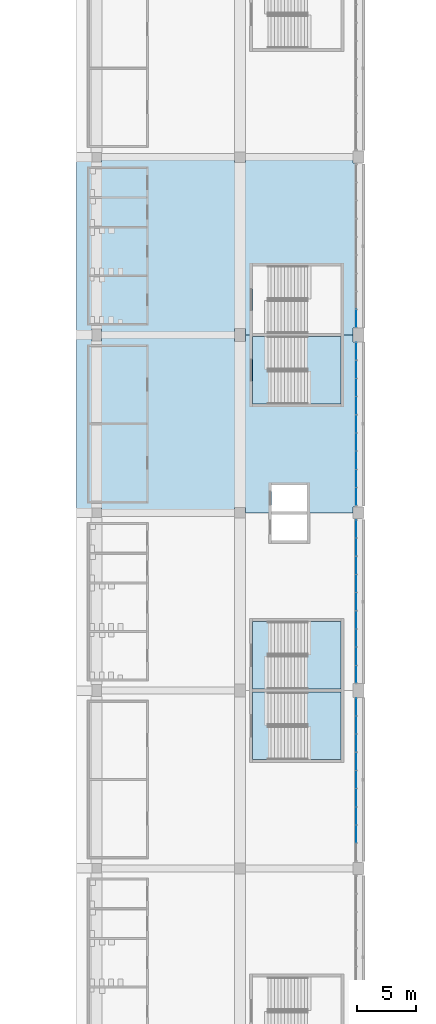
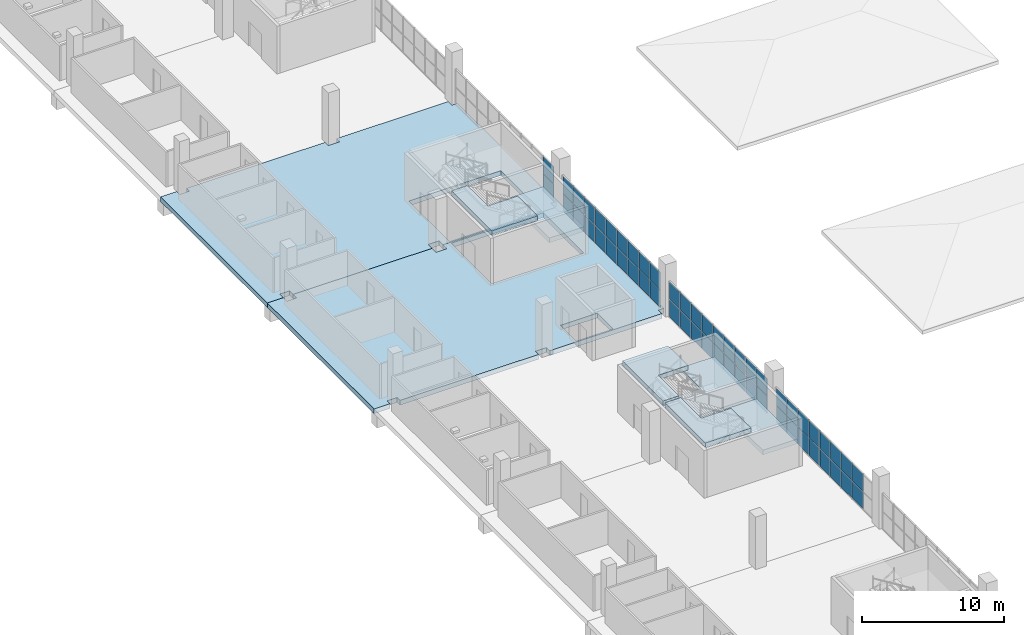
# One storey, part 65 of 199: 54 plates, 8 slabs, 7 elements without a shape of their own.
"""IFC4 building model written with IfcOpenShell, lengths in metres."""

from ifc_helpers import new_model, si_unit, direction, frame, origin, origin_2d, place, context, subcontext, project, spatial, polyline, rectangle, outline, extrude, material, layer, layer_set, type_object, element, aggregate, save


model = new_model("IFC4")

# Units and contexts
model_context = context("Model", 3, precision=1e-05, world=origin(), true_north=direction((0.0, 1.0)))
body_context = subcontext(model_context, "Body", "Model", "MODEL_VIEW")
ifc_project = project(units=[si_unit("LENGTHUNIT", "METRE"), si_unit("AREAUNIT", "SQUARE_METRE"), si_unit("VOLUMEUNIT", "CUBIC_METRE"), si_unit("PLANEANGLEUNIT", "RADIAN"), si_unit("MASSUNIT", "GRAM", prefix="KILO")], contexts=[model_context])

# Site, building, storey
site_placement = place(None, origin())
site = spatial("IfcSite", under=ifc_project, at=site_placement, CompositionType="ELEMENT")
building_placement = place(site_placement, origin())
building = spatial("IfcBuilding", under=site, at=building_placement, Name="Ogive Plaza Stadium", CompositionType="ELEMENT")
storey_placement = place(building_placement, frame((0.0, 0.0, 4.5)))
storey = spatial("IfcBuildingStorey", under=building, at=storey_placement, Name="L01", CompositionType="ELEMENT", Elevation=4.5)

# Curtain wall, plates
ifc_material_1 = material(Name="Bronze-anodised aluminium with laminated glass", Category="aluminium")
curtain_wall_type = type_object("IfcCurtainWallType", Name="Lancet curtain wall", PredefinedType="NOTDEFINED", material=ifc_material_1)
curtain_wall_1_placement = place(storey_placement, origin())
curtain_wall_1 = element("IfcCurtainWall", 1, at=curtain_wall_1_placement, inside=storey, type_object=curtain_wall_type, Name="CURTAIN WALL B03 L01", PredefinedType="NOTDEFINED")
ifc_material_2 = material(Name="Laminated glass", Category="glass")
ifc_layer_1 = layer(ifc_material_2, 0.028076171875)
ifc_layer_set_1 = layer_set([ifc_layer_1], Name="Laminated glass panel 28")
plate_type = type_object("IfcPlateType", Name="Laminated glass panel 28", PredefinedType="CURTAIN_PANEL", material=ifc_layer_set_1)
plate_1_placement = place(storey_placement, frame((83.800048828125, 8.879150390625, 0.0498046875), z_axis=(0.0, 0.0, 1.0), x_axis=(0.0, -1.0, 0.0)))
plate_1 = element("IfcPlate", 2, at=plate_1_placement, type_object=plate_type, Name="CW-B03-L01 panel 9.1", PredefinedType="CURTAIN_PANEL", context=body_context, shape_type="SweptSolid", body=[
    extrude(rectangle(XDim=1.458251953125, YDim=0.028076171875, at=origin_2d()), origin(), (0.0, 0.0, 1.0), 1.469970703125),
])
plate_2_placement = place(storey_placement, frame((83.800048828125, 8.879150390625, 1.56982421875), z_axis=(0.0, 0.0, 1.0), x_axis=(0.0, -1.0, 0.0)))
plate_2 = element("IfcPlate", 3, at=plate_2_placement, type_object=plate_type, Name="CW-B03-L01 panel 9.2", PredefinedType="CURTAIN_PANEL", context=body_context, shape_type="SweptSolid", body=[
    extrude(rectangle(XDim=1.458251953125, YDim=0.028076171875, at=origin_2d()), origin(), (0.0, 0.0, 1.0), 1.469970703125),
])
aggregate(curtain_wall_1, [plate_1, plate_2])

curtain_wall_2_placement = place(storey_placement, origin())
curtain_wall_2 = element("IfcCurtainWall", 4, at=curtain_wall_2_placement, inside=storey, type_object=curtain_wall_type, Name="CURTAIN WALL B04 L01", PredefinedType="NOTDEFINED")
plate_3_placement = place(storey_placement, frame((83.800048828125, 6.120849609375, 0.0498046875), z_axis=(0.0, 0.0, 1.0), x_axis=(0.0, -1.0, 0.0)))
plate_3 = element("IfcPlate", 5, at=plate_3_placement, type_object=plate_type, Name="CW-B04-L01 panel 1.1", PredefinedType="CURTAIN_PANEL", context=body_context, shape_type="SweptSolid", body=[
    extrude(rectangle(XDim=1.458251953125, YDim=0.028076171875, at=origin_2d()), origin(), (0.0, 0.0, 1.0), 1.469970703125),
])
plate_4_placement = place(storey_placement, frame((83.800048828125, 6.120849609375, 1.56982421875), z_axis=(0.0, 0.0, 1.0), x_axis=(0.0, -1.0, 0.0)))
plate_4 = element("IfcPlate", 6, at=plate_4_placement, type_object=plate_type, Name="CW-B04-L01 panel 1.2", PredefinedType="CURTAIN_PANEL", context=body_context, shape_type="SweptSolid", body=[
    extrude(rectangle(XDim=1.458251953125, YDim=0.028076171875, at=origin_2d()), origin(), (0.0, 0.0, 1.0), 1.469970703125),
])
plate_5_placement = place(storey_placement, frame((83.800048828125, 4.60009765625, 0.0498046875), z_axis=(0.0, 0.0, 1.0), x_axis=(0.0, -1.0, 0.0)))
plate_5 = element("IfcPlate", 7, at=plate_5_placement, type_object=plate_type, Name="CW-B04-L01 panel 2.1", PredefinedType="CURTAIN_PANEL", context=body_context, shape_type="SweptSolid", body=[
    extrude(rectangle(XDim=1.4833984375, YDim=0.028076171875, at=origin_2d()), origin(), (0.0, 0.0, 1.0), 1.469970703125),
])
plate_6_placement = place(storey_placement, frame((83.800048828125, 4.60009765625, 1.56982421875), z_axis=(0.0, 0.0, 1.0), x_axis=(0.0, -1.0, 0.0)))
plate_6 = element("IfcPlate", 8, at=plate_6_placement, type_object=plate_type, Name="CW-B04-L01 panel 2.2", PredefinedType="CURTAIN_PANEL", context=body_context, shape_type="SweptSolid", body=[
    extrude(rectangle(XDim=1.4833984375, YDim=0.028076171875, at=origin_2d()), origin(), (0.0, 0.0, 1.0), 1.469970703125),
])
plate_7_placement = place(storey_placement, frame((83.800048828125, 3.066650390625, 0.0498046875), z_axis=(0.0, 0.0, 1.0), x_axis=(0.0, -1.0, 0.0)))
plate_7 = element("IfcPlate", 9, at=plate_7_placement, type_object=plate_type, Name="CW-B04-L01 panel 3.1", PredefinedType="CURTAIN_PANEL", context=body_context, shape_type="SweptSolid", body=[
    extrude(rectangle(XDim=1.4833984375, YDim=0.028076171875, at=origin_2d()), origin(), (0.0, 0.0, 1.0), 1.469970703125),
])
plate_8_placement = place(storey_placement, frame((83.800048828125, 3.066650390625, 1.56982421875), z_axis=(0.0, 0.0, 1.0), x_axis=(0.0, -1.0, 0.0)))
plate_8 = element("IfcPlate", 10, at=plate_8_placement, type_object=plate_type, Name="CW-B04-L01 panel 3.2", PredefinedType="CURTAIN_PANEL", context=body_context, shape_type="SweptSolid", body=[
    extrude(rectangle(XDim=1.4833984375, YDim=0.028076171875, at=origin_2d()), origin(), (0.0, 0.0, 1.0), 1.469970703125),
])
plate_9_placement = place(storey_placement, frame((83.800048828125, 1.533447265625, 0.0498046875), z_axis=(0.0, 0.0, 1.0), x_axis=(0.0, -1.0, 0.0)))
plate_9 = element("IfcPlate", 11, at=plate_9_placement, type_object=plate_type, Name="CW-B04-L01 panel 4.1", PredefinedType="CURTAIN_PANEL", context=body_context, shape_type="SweptSolid", body=[
    extrude(rectangle(XDim=1.4833984375, YDim=0.028076171875, at=origin_2d()), origin(), (0.0, 0.0, 1.0), 1.469970703125),
])
plate_10_placement = place(storey_placement, frame((83.800048828125, 1.533447265625, 1.56982421875), z_axis=(0.0, 0.0, 1.0), x_axis=(0.0, -1.0, 0.0)))
plate_10 = element("IfcPlate", 12, at=plate_10_placement, type_object=plate_type, Name="CW-B04-L01 panel 4.2", PredefinedType="CURTAIN_PANEL", context=body_context, shape_type="SweptSolid", body=[
    extrude(rectangle(XDim=1.4833984375, YDim=0.028076171875, at=origin_2d()), origin(), (0.0, 0.0, 1.0), 1.469970703125),
])
plate_11_placement = place(storey_placement, frame((83.800048828125, 0.0, 0.0498046875), z_axis=(0.0, 0.0, 1.0), x_axis=(0.0, -1.0, 0.0)))
plate_11 = element("IfcPlate", 13, at=plate_11_placement, type_object=plate_type, Name="CW-B04-L01 panel 5.1", PredefinedType="CURTAIN_PANEL", context=body_context, shape_type="SweptSolid", body=[
    extrude(rectangle(XDim=1.4833984375, YDim=0.028076171875, at=origin_2d()), origin(), (0.0, 0.0, 1.0), 1.469970703125),
])
plate_12_placement = place(storey_placement, frame((83.800048828125, 0.0, 1.56982421875), z_axis=(0.0, 0.0, 1.0), x_axis=(0.0, -1.0, 0.0)))
plate_12 = element("IfcPlate", 14, at=plate_12_placement, type_object=plate_type, Name="CW-B04-L01 panel 5.2", PredefinedType="CURTAIN_PANEL", context=body_context, shape_type="SweptSolid", body=[
    extrude(rectangle(XDim=1.4833984375, YDim=0.028076171875, at=origin_2d()), origin(), (0.0, 0.0, 1.0), 1.469970703125),
])
plate_13_placement = place(storey_placement, frame((83.800048828125, -1.533447265625, 0.0498046875), z_axis=(0.0, 0.0, 1.0), x_axis=(0.0, -1.0, 0.0)))
plate_13 = element("IfcPlate", 15, at=plate_13_placement, type_object=plate_type, Name="CW-B04-L01 panel 6.1", PredefinedType="CURTAIN_PANEL", context=body_context, shape_type="SweptSolid", body=[
    extrude(rectangle(XDim=1.4833984375, YDim=0.028076171875, at=origin_2d()), origin(), (0.0, 0.0, 1.0), 1.469970703125),
])
plate_14_placement = place(storey_placement, frame((83.800048828125, -1.533447265625, 1.56982421875), z_axis=(0.0, 0.0, 1.0), x_axis=(0.0, -1.0, 0.0)))
plate_14 = element("IfcPlate", 16, at=plate_14_placement, type_object=plate_type, Name="CW-B04-L01 panel 6.2", PredefinedType="CURTAIN_PANEL", context=body_context, shape_type="SweptSolid", body=[
    extrude(rectangle(XDim=1.4833984375, YDim=0.028076171875, at=origin_2d()), origin(), (0.0, 0.0, 1.0), 1.469970703125),
])
plate_15_placement = place(storey_placement, frame((83.800048828125, -3.066650390625, 0.0498046875), z_axis=(0.0, 0.0, 1.0), x_axis=(0.0, -1.0, 0.0)))
plate_15 = element("IfcPlate", 17, at=plate_15_placement, type_object=plate_type, Name="CW-B04-L01 panel 7.1", PredefinedType="CURTAIN_PANEL", context=body_context, shape_type="SweptSolid", body=[
    extrude(rectangle(XDim=1.4833984375, YDim=0.028076171875, at=origin_2d()), origin(), (0.0, 0.0, 1.0), 1.469970703125),
])
plate_16_placement = place(storey_placement, frame((83.800048828125, -3.066650390625, 1.56982421875), z_axis=(0.0, 0.0, 1.0), x_axis=(0.0, -1.0, 0.0)))
plate_16 = element("IfcPlate", 18, at=plate_16_placement, type_object=plate_type, Name="CW-B04-L01 panel 7.2", PredefinedType="CURTAIN_PANEL", context=body_context, shape_type="SweptSolid", body=[
    extrude(rectangle(XDim=1.4833984375, YDim=0.028076171875, at=origin_2d()), origin(), (0.0, 0.0, 1.0), 1.469970703125),
])
plate_17_placement = place(storey_placement, frame((83.800048828125, -4.60009765625, 0.0498046875), z_axis=(0.0, 0.0, 1.0), x_axis=(0.0, -1.0, 0.0)))
plate_17 = element("IfcPlate", 19, at=plate_17_placement, type_object=plate_type, Name="CW-B04-L01 panel 8.1", PredefinedType="CURTAIN_PANEL", context=body_context, shape_type="SweptSolid", body=[
    extrude(rectangle(XDim=1.4833984375, YDim=0.028076171875, at=origin_2d()), origin(), (0.0, 0.0, 1.0), 1.469970703125),
])
plate_18_placement = place(storey_placement, frame((83.800048828125, -4.60009765625, 1.56982421875), z_axis=(0.0, 0.0, 1.0), x_axis=(0.0, -1.0, 0.0)))
plate_18 = element("IfcPlate", 20, at=plate_18_placement, type_object=plate_type, Name="CW-B04-L01 panel 8.2", PredefinedType="CURTAIN_PANEL", context=body_context, shape_type="SweptSolid", body=[
    extrude(rectangle(XDim=1.4833984375, YDim=0.028076171875, at=origin_2d()), origin(), (0.0, 0.0, 1.0), 1.469970703125),
])
plate_19_placement = place(storey_placement, frame((83.800048828125, -6.120849609375, 0.0498046875), z_axis=(0.0, 0.0, 1.0), x_axis=(0.0, -1.0, 0.0)))
plate_19 = element("IfcPlate", 21, at=plate_19_placement, type_object=plate_type, Name="CW-B04-L01 panel 9.1", PredefinedType="CURTAIN_PANEL", context=body_context, shape_type="SweptSolid", body=[
    extrude(rectangle(XDim=1.458251953125, YDim=0.028076171875, at=origin_2d()), origin(), (0.0, 0.0, 1.0), 1.469970703125),
])
plate_20_placement = place(storey_placement, frame((83.800048828125, -6.120849609375, 1.56982421875), z_axis=(0.0, 0.0, 1.0), x_axis=(0.0, -1.0, 0.0)))
plate_20 = element("IfcPlate", 22, at=plate_20_placement, type_object=plate_type, Name="CW-B04-L01 panel 9.2", PredefinedType="CURTAIN_PANEL", context=body_context, shape_type="SweptSolid", body=[
    extrude(rectangle(XDim=1.458251953125, YDim=0.028076171875, at=origin_2d()), origin(), (0.0, 0.0, 1.0), 1.469970703125),
])
aggregate(curtain_wall_2, [plate_3, plate_4, plate_5, plate_6, plate_7, plate_8, plate_9, plate_10, plate_11, plate_12, plate_13, plate_14, plate_15, plate_16, plate_17, plate_18, plate_19, plate_20])

curtain_wall_3_placement = place(storey_placement, origin())
curtain_wall_3 = element("IfcCurtainWall", 23, at=curtain_wall_3_placement, inside=storey, type_object=curtain_wall_type, Name="CURTAIN WALL B05 L01", PredefinedType="NOTDEFINED")
plate_21_placement = place(storey_placement, frame((83.800048828125, -8.879150390625, 0.0498046875), z_axis=(0.0, 0.0, 1.0), x_axis=(0.0, -1.0, 0.0)))
plate_21 = element("IfcPlate", 24, at=plate_21_placement, type_object=plate_type, Name="CW-B05-L01 panel 1.1", PredefinedType="CURTAIN_PANEL", context=body_context, shape_type="SweptSolid", body=[
    extrude(rectangle(XDim=1.458251953125, YDim=0.028076171875, at=origin_2d()), origin(), (0.0, 0.0, 1.0), 1.469970703125),
])
plate_22_placement = place(storey_placement, frame((83.800048828125, -8.879150390625, 1.56982421875), z_axis=(0.0, 0.0, 1.0), x_axis=(0.0, -1.0, 0.0)))
plate_22 = element("IfcPlate", 25, at=plate_22_placement, type_object=plate_type, Name="CW-B05-L01 panel 1.2", PredefinedType="CURTAIN_PANEL", context=body_context, shape_type="SweptSolid", body=[
    extrude(rectangle(XDim=1.458251953125, YDim=0.028076171875, at=origin_2d()), origin(), (0.0, 0.0, 1.0), 1.469970703125),
])
plate_23_placement = place(storey_placement, frame((83.800048828125, -10.39990234375, 0.0498046875), z_axis=(0.0, 0.0, 1.0), x_axis=(0.0, -1.0, 0.0)))
plate_23 = element("IfcPlate", 26, at=plate_23_placement, type_object=plate_type, Name="CW-B05-L01 panel 2.1", PredefinedType="CURTAIN_PANEL", context=body_context, shape_type="SweptSolid", body=[
    extrude(rectangle(XDim=1.4833984375, YDim=0.028076171875, at=origin_2d()), origin(), (0.0, 0.0, 1.0), 1.469970703125),
])
plate_24_placement = place(storey_placement, frame((83.800048828125, -10.39990234375, 1.56982421875), z_axis=(0.0, 0.0, 1.0), x_axis=(0.0, -1.0, 0.0)))
plate_24 = element("IfcPlate", 27, at=plate_24_placement, type_object=plate_type, Name="CW-B05-L01 panel 2.2", PredefinedType="CURTAIN_PANEL", context=body_context, shape_type="SweptSolid", body=[
    extrude(rectangle(XDim=1.4833984375, YDim=0.028076171875, at=origin_2d()), origin(), (0.0, 0.0, 1.0), 1.469970703125),
])
plate_25_placement = place(storey_placement, frame((83.800048828125, -11.933349609375, 0.0498046875), z_axis=(0.0, 0.0, 1.0), x_axis=(0.0, -1.0, 0.0)))
plate_25 = element("IfcPlate", 28, at=plate_25_placement, type_object=plate_type, Name="CW-B05-L01 panel 3.1", PredefinedType="CURTAIN_PANEL", context=body_context, shape_type="SweptSolid", body=[
    extrude(rectangle(XDim=1.4833984375, YDim=0.028076171875, at=origin_2d()), origin(), (0.0, 0.0, 1.0), 1.469970703125),
])
plate_26_placement = place(storey_placement, frame((83.800048828125, -11.933349609375, 1.56982421875), z_axis=(0.0, 0.0, 1.0), x_axis=(0.0, -1.0, 0.0)))
plate_26 = element("IfcPlate", 29, at=plate_26_placement, type_object=plate_type, Name="CW-B05-L01 panel 3.2", PredefinedType="CURTAIN_PANEL", context=body_context, shape_type="SweptSolid", body=[
    extrude(rectangle(XDim=1.4833984375, YDim=0.028076171875, at=origin_2d()), origin(), (0.0, 0.0, 1.0), 1.469970703125),
])
plate_27_placement = place(storey_placement, frame((83.800048828125, -13.466552734375, 0.0498046875), z_axis=(0.0, 0.0, 1.0), x_axis=(0.0, -1.0, 0.0)))
plate_27 = element("IfcPlate", 30, at=plate_27_placement, type_object=plate_type, Name="CW-B05-L01 panel 4.1", PredefinedType="CURTAIN_PANEL", context=body_context, shape_type="SweptSolid", body=[
    extrude(rectangle(XDim=1.4833984375, YDim=0.028076171875, at=origin_2d()), origin(), (0.0, 0.0, 1.0), 1.469970703125),
])
plate_28_placement = place(storey_placement, frame((83.800048828125, -13.466552734375, 1.56982421875), z_axis=(0.0, 0.0, 1.0), x_axis=(0.0, -1.0, 0.0)))
plate_28 = element("IfcPlate", 31, at=plate_28_placement, type_object=plate_type, Name="CW-B05-L01 panel 4.2", PredefinedType="CURTAIN_PANEL", context=body_context, shape_type="SweptSolid", body=[
    extrude(rectangle(XDim=1.4833984375, YDim=0.028076171875, at=origin_2d()), origin(), (0.0, 0.0, 1.0), 1.469970703125),
])
plate_29_placement = place(storey_placement, frame((83.800048828125, -15.0, 0.0498046875), z_axis=(0.0, 0.0, 1.0), x_axis=(0.0, -1.0, 0.0)))
plate_29 = element("IfcPlate", 32, at=plate_29_placement, type_object=plate_type, Name="CW-B05-L01 panel 5.1", PredefinedType="CURTAIN_PANEL", context=body_context, shape_type="SweptSolid", body=[
    extrude(rectangle(XDim=1.4833984375, YDim=0.028076171875, at=origin_2d()), origin(), (0.0, 0.0, 1.0), 1.469970703125),
])
plate_30_placement = place(storey_placement, frame((83.800048828125, -15.0, 1.56982421875), z_axis=(0.0, 0.0, 1.0), x_axis=(0.0, -1.0, 0.0)))
plate_30 = element("IfcPlate", 33, at=plate_30_placement, type_object=plate_type, Name="CW-B05-L01 panel 5.2", PredefinedType="CURTAIN_PANEL", context=body_context, shape_type="SweptSolid", body=[
    extrude(rectangle(XDim=1.4833984375, YDim=0.028076171875, at=origin_2d()), origin(), (0.0, 0.0, 1.0), 1.469970703125),
])
plate_31_placement = place(storey_placement, frame((83.800048828125, -16.533447265625, 0.0498046875), z_axis=(0.0, 0.0, 1.0), x_axis=(0.0, -1.0, 0.0)))
plate_31 = element("IfcPlate", 34, at=plate_31_placement, type_object=plate_type, Name="CW-B05-L01 panel 6.1", PredefinedType="CURTAIN_PANEL", context=body_context, shape_type="SweptSolid", body=[
    extrude(rectangle(XDim=1.4833984375, YDim=0.028076171875, at=origin_2d()), origin(), (0.0, 0.0, 1.0), 1.469970703125),
])
plate_32_placement = place(storey_placement, frame((83.800048828125, -16.533447265625, 1.56982421875), z_axis=(0.0, 0.0, 1.0), x_axis=(0.0, -1.0, 0.0)))
plate_32 = element("IfcPlate", 35, at=plate_32_placement, type_object=plate_type, Name="CW-B05-L01 panel 6.2", PredefinedType="CURTAIN_PANEL", context=body_context, shape_type="SweptSolid", body=[
    extrude(rectangle(XDim=1.4833984375, YDim=0.028076171875, at=origin_2d()), origin(), (0.0, 0.0, 1.0), 1.469970703125),
])
plate_33_placement = place(storey_placement, frame((83.800048828125, -18.066650390625, 0.0498046875), z_axis=(0.0, 0.0, 1.0), x_axis=(0.0, -1.0, 0.0)))
plate_33 = element("IfcPlate", 36, at=plate_33_placement, type_object=plate_type, Name="CW-B05-L01 panel 7.1", PredefinedType="CURTAIN_PANEL", context=body_context, shape_type="SweptSolid", body=[
    extrude(rectangle(XDim=1.4833984375, YDim=0.028076171875, at=origin_2d()), origin(), (0.0, 0.0, 1.0), 1.469970703125),
])
plate_34_placement = place(storey_placement, frame((83.800048828125, -18.066650390625, 1.56982421875), z_axis=(0.0, 0.0, 1.0), x_axis=(0.0, -1.0, 0.0)))
plate_34 = element("IfcPlate", 37, at=plate_34_placement, type_object=plate_type, Name="CW-B05-L01 panel 7.2", PredefinedType="CURTAIN_PANEL", context=body_context, shape_type="SweptSolid", body=[
    extrude(rectangle(XDim=1.4833984375, YDim=0.028076171875, at=origin_2d()), origin(), (0.0, 0.0, 1.0), 1.469970703125),
])
plate_35_placement = place(storey_placement, frame((83.800048828125, -19.60009765625, 0.0498046875), z_axis=(0.0, 0.0, 1.0), x_axis=(0.0, -1.0, 0.0)))
plate_35 = element("IfcPlate", 38, at=plate_35_placement, type_object=plate_type, Name="CW-B05-L01 panel 8.1", PredefinedType="CURTAIN_PANEL", context=body_context, shape_type="SweptSolid", body=[
    extrude(rectangle(XDim=1.4833984375, YDim=0.028076171875, at=origin_2d()), origin(), (0.0, 0.0, 1.0), 1.469970703125),
])
plate_36_placement = place(storey_placement, frame((83.800048828125, -19.60009765625, 1.56982421875), z_axis=(0.0, 0.0, 1.0), x_axis=(0.0, -1.0, 0.0)))
plate_36 = element("IfcPlate", 39, at=plate_36_placement, type_object=plate_type, Name="CW-B05-L01 panel 8.2", PredefinedType="CURTAIN_PANEL", context=body_context, shape_type="SweptSolid", body=[
    extrude(rectangle(XDim=1.4833984375, YDim=0.028076171875, at=origin_2d()), origin(), (0.0, 0.0, 1.0), 1.469970703125),
])
plate_37_placement = place(storey_placement, frame((83.800048828125, -21.120849609375, 0.0498046875), z_axis=(0.0, 0.0, 1.0), x_axis=(0.0, -1.0, 0.0)))
plate_37 = element("IfcPlate", 40, at=plate_37_placement, type_object=plate_type, Name="CW-B05-L01 panel 9.1", PredefinedType="CURTAIN_PANEL", context=body_context, shape_type="SweptSolid", body=[
    extrude(rectangle(XDim=1.458251953125, YDim=0.028076171875, at=origin_2d()), origin(), (0.0, 0.0, 1.0), 1.469970703125),
])
plate_38_placement = place(storey_placement, frame((83.800048828125, -21.120849609375, 1.56982421875), z_axis=(0.0, 0.0, 1.0), x_axis=(0.0, -1.0, 0.0)))
plate_38 = element("IfcPlate", 41, at=plate_38_placement, type_object=plate_type, Name="CW-B05-L01 panel 9.2", PredefinedType="CURTAIN_PANEL", context=body_context, shape_type="SweptSolid", body=[
    extrude(rectangle(XDim=1.458251953125, YDim=0.028076171875, at=origin_2d()), origin(), (0.0, 0.0, 1.0), 1.469970703125),
])
aggregate(curtain_wall_3, [plate_21, plate_22, plate_23, plate_24, plate_25, plate_26, plate_27, plate_28, plate_29, plate_30, plate_31, plate_32, plate_33, plate_34, plate_35, plate_36, plate_37, plate_38])

curtain_wall_4_placement = place(storey_placement, origin())
curtain_wall_4 = element("IfcCurtainWall", 42, at=curtain_wall_4_placement, inside=storey, type_object=curtain_wall_type, Name="CURTAIN WALL B06 L01", PredefinedType="NOTDEFINED")
plate_39_placement = place(storey_placement, frame((83.800048828125, -23.879150390625, 0.0498046875), z_axis=(0.0, 0.0, 1.0), x_axis=(0.0, -1.0, 0.0)))
plate_39 = element("IfcPlate", 43, at=plate_39_placement, type_object=plate_type, Name="CW-B06-L01 panel 1.1", PredefinedType="CURTAIN_PANEL", context=body_context, shape_type="SweptSolid", body=[
    extrude(rectangle(XDim=1.458251953125, YDim=0.028076171875, at=origin_2d()), origin(), (0.0, 0.0, 1.0), 1.469970703125),
])
plate_40_placement = place(storey_placement, frame((83.800048828125, -23.879150390625, 1.56982421875), z_axis=(0.0, 0.0, 1.0), x_axis=(0.0, -1.0, 0.0)))
plate_40 = element("IfcPlate", 44, at=plate_40_placement, type_object=plate_type, Name="CW-B06-L01 panel 1.2", PredefinedType="CURTAIN_PANEL", context=body_context, shape_type="SweptSolid", body=[
    extrude(rectangle(XDim=1.458251953125, YDim=0.028076171875, at=origin_2d()), origin(), (0.0, 0.0, 1.0), 1.469970703125),
])
plate_41_placement = place(storey_placement, frame((83.800048828125, -25.39990234375, 0.0498046875), z_axis=(0.0, 0.0, 1.0), x_axis=(0.0, -1.0, 0.0)))
plate_41 = element("IfcPlate", 45, at=plate_41_placement, type_object=plate_type, Name="CW-B06-L01 panel 2.1", PredefinedType="CURTAIN_PANEL", context=body_context, shape_type="SweptSolid", body=[
    extrude(rectangle(XDim=1.4833984375, YDim=0.028076171875, at=origin_2d()), origin(), (0.0, 0.0, 1.0), 1.469970703125),
])
plate_42_placement = place(storey_placement, frame((83.800048828125, -25.39990234375, 1.56982421875), z_axis=(0.0, 0.0, 1.0), x_axis=(0.0, -1.0, 0.0)))
plate_42 = element("IfcPlate", 46, at=plate_42_placement, type_object=plate_type, Name="CW-B06-L01 panel 2.2", PredefinedType="CURTAIN_PANEL", context=body_context, shape_type="SweptSolid", body=[
    extrude(rectangle(XDim=1.4833984375, YDim=0.028076171875, at=origin_2d()), origin(), (0.0, 0.0, 1.0), 1.469970703125),
])
plate_43_placement = place(storey_placement, frame((83.800048828125, -26.933349609375, 0.0498046875), z_axis=(0.0, 0.0, 1.0), x_axis=(0.0, -1.0, 0.0)))
plate_43 = element("IfcPlate", 47, at=plate_43_placement, type_object=plate_type, Name="CW-B06-L01 panel 3.1", PredefinedType="CURTAIN_PANEL", context=body_context, shape_type="SweptSolid", body=[
    extrude(rectangle(XDim=1.4833984375, YDim=0.028076171875, at=origin_2d()), origin(), (0.0, 0.0, 1.0), 1.469970703125),
])
plate_44_placement = place(storey_placement, frame((83.800048828125, -26.933349609375, 1.56982421875), z_axis=(0.0, 0.0, 1.0), x_axis=(0.0, -1.0, 0.0)))
plate_44 = element("IfcPlate", 48, at=plate_44_placement, type_object=plate_type, Name="CW-B06-L01 panel 3.2", PredefinedType="CURTAIN_PANEL", context=body_context, shape_type="SweptSolid", body=[
    extrude(rectangle(XDim=1.4833984375, YDim=0.028076171875, at=origin_2d()), origin(), (0.0, 0.0, 1.0), 1.469970703125),
])
plate_45_placement = place(storey_placement, frame((83.800048828125, -28.466552734375, 0.0498046875), z_axis=(0.0, 0.0, 1.0), x_axis=(0.0, -1.0, 0.0)))
plate_45 = element("IfcPlate", 49, at=plate_45_placement, type_object=plate_type, Name="CW-B06-L01 panel 4.1", PredefinedType="CURTAIN_PANEL", context=body_context, shape_type="SweptSolid", body=[
    extrude(rectangle(XDim=1.4833984375, YDim=0.028076171875, at=origin_2d()), origin(), (0.0, 0.0, 1.0), 1.469970703125),
])
plate_46_placement = place(storey_placement, frame((83.800048828125, -28.466552734375, 1.56982421875), z_axis=(0.0, 0.0, 1.0), x_axis=(0.0, -1.0, 0.0)))
plate_46 = element("IfcPlate", 50, at=plate_46_placement, type_object=plate_type, Name="CW-B06-L01 panel 4.2", PredefinedType="CURTAIN_PANEL", context=body_context, shape_type="SweptSolid", body=[
    extrude(rectangle(XDim=1.4833984375, YDim=0.028076171875, at=origin_2d()), origin(), (0.0, 0.0, 1.0), 1.469970703125),
])
plate_47_placement = place(storey_placement, frame((83.800048828125, -30.0, 0.0498046875), z_axis=(0.0, 0.0, 1.0), x_axis=(0.0, -1.0, 0.0)))
plate_47 = element("IfcPlate", 51, at=plate_47_placement, type_object=plate_type, Name="CW-B06-L01 panel 5.1", PredefinedType="CURTAIN_PANEL", context=body_context, shape_type="SweptSolid", body=[
    extrude(rectangle(XDim=1.4833984375, YDim=0.028076171875, at=origin_2d()), origin(), (0.0, 0.0, 1.0), 1.469970703125),
])
plate_48_placement = place(storey_placement, frame((83.800048828125, -30.0, 1.56982421875), z_axis=(0.0, 0.0, 1.0), x_axis=(0.0, -1.0, 0.0)))
plate_48 = element("IfcPlate", 52, at=plate_48_placement, type_object=plate_type, Name="CW-B06-L01 panel 5.2", PredefinedType="CURTAIN_PANEL", context=body_context, shape_type="SweptSolid", body=[
    extrude(rectangle(XDim=1.4833984375, YDim=0.028076171875, at=origin_2d()), origin(), (0.0, 0.0, 1.0), 1.469970703125),
])
plate_49_placement = place(storey_placement, frame((83.800048828125, -31.533447265625, 0.0498046875), z_axis=(0.0, 0.0, 1.0), x_axis=(0.0, -1.0, 0.0)))
plate_49 = element("IfcPlate", 53, at=plate_49_placement, type_object=plate_type, Name="CW-B06-L01 panel 6.1", PredefinedType="CURTAIN_PANEL", context=body_context, shape_type="SweptSolid", body=[
    extrude(rectangle(XDim=1.4833984375, YDim=0.028076171875, at=origin_2d()), origin(), (0.0, 0.0, 1.0), 1.469970703125),
])
plate_50_placement = place(storey_placement, frame((83.800048828125, -31.533447265625, 1.56982421875), z_axis=(0.0, 0.0, 1.0), x_axis=(0.0, -1.0, 0.0)))
plate_50 = element("IfcPlate", 54, at=plate_50_placement, type_object=plate_type, Name="CW-B06-L01 panel 6.2", PredefinedType="CURTAIN_PANEL", context=body_context, shape_type="SweptSolid", body=[
    extrude(rectangle(XDim=1.4833984375, YDim=0.028076171875, at=origin_2d()), origin(), (0.0, 0.0, 1.0), 1.469970703125),
])
plate_51_placement = place(storey_placement, frame((83.800048828125, -33.066650390625, 0.0498046875), z_axis=(0.0, 0.0, 1.0), x_axis=(0.0, -1.0, 0.0)))
plate_51 = element("IfcPlate", 55, at=plate_51_placement, type_object=plate_type, Name="CW-B06-L01 panel 7.1", PredefinedType="CURTAIN_PANEL", context=body_context, shape_type="SweptSolid", body=[
    extrude(rectangle(XDim=1.4833984375, YDim=0.028076171875, at=origin_2d()), origin(), (0.0, 0.0, 1.0), 1.469970703125),
])
plate_52_placement = place(storey_placement, frame((83.800048828125, -33.066650390625, 1.56982421875), z_axis=(0.0, 0.0, 1.0), x_axis=(0.0, -1.0, 0.0)))
plate_52 = element("IfcPlate", 56, at=plate_52_placement, type_object=plate_type, Name="CW-B06-L01 panel 7.2", PredefinedType="CURTAIN_PANEL", context=body_context, shape_type="SweptSolid", body=[
    extrude(rectangle(XDim=1.4833984375, YDim=0.028076171875, at=origin_2d()), origin(), (0.0, 0.0, 1.0), 1.469970703125),
])
plate_53_placement = place(storey_placement, frame((83.800048828125, -34.60009765625, 0.0498046875), z_axis=(0.0, 0.0, 1.0), x_axis=(0.0, -1.0, 0.0)))
plate_53 = element("IfcPlate", 57, at=plate_53_placement, type_object=plate_type, Name="CW-B06-L01 panel 8.1", PredefinedType="CURTAIN_PANEL", context=body_context, shape_type="SweptSolid", body=[
    extrude(rectangle(XDim=1.4833984375, YDim=0.028076171875, at=origin_2d()), origin(), (0.0, 0.0, 1.0), 1.469970703125),
])
plate_54_placement = place(storey_placement, frame((83.800048828125, -34.60009765625, 1.56982421875), z_axis=(0.0, 0.0, 1.0), x_axis=(0.0, -1.0, 0.0)))
plate_54 = element("IfcPlate", 58, at=plate_54_placement, type_object=plate_type, Name="CW-B06-L01 panel 8.2", PredefinedType="CURTAIN_PANEL", context=body_context, shape_type="SweptSolid", body=[
    extrude(rectangle(XDim=1.4833984375, YDim=0.028076171875, at=origin_2d()), origin(), (0.0, 0.0, 1.0), 1.469970703125),
])
aggregate(curtain_wall_4, [plate_39, plate_40, plate_41, plate_42, plate_43, plate_44, plate_45, plate_46, plate_47, plate_48, plate_49, plate_50, plate_51, plate_52, plate_53, plate_54])

# Slabs
ifc_material_3 = material(Name="Concrete C40/50", Category="concrete")
ifc_layer_2 = layer(ifc_material_3, 0.409912109375)
ifc_layer_set_2 = layer_set([ifc_layer_2], Name="Concrete C40/50")
slab_type_1 = type_object("IfcSlabType", Name="RC floor slab 410", PredefinedType="FLOOR", material=ifc_layer_set_2)
slab_1_placement = place(storey_placement, frame((0.0, 0.0, -0.409912109375)))
element("IfcSlab", 59, at=slab_1_placement, inside=storey, type_object=slab_type_1, Name="Floor slab L01 B03", PredefinedType="FLOOR", context=body_context, shape_type="SweptSolid", body=[
    extrude(outline(polyline([(61.5, 7.5), (61.5, 8.0), (62.300048828125, 8.0), (62.300048828125, 7.5), (73.550048828125, 7.5), (73.550048828125, 8.050048828125), (74.449951171875, 8.050048828125), (74.449951171875, 7.5), (83.550048828125, 7.5), (83.550048828125, 8.10009765625), (84.0, 8.10009765625), (84.0, 22.0), (83.550048828125, 22.0), (83.550048828125, 22.5), (74.449951171875, 22.5), (74.449951171875, 22.050048828125), (73.550048828125, 22.050048828125), (73.550048828125, 22.5), (62.300048828125, 22.5), (62.300048828125, 22.10009765625), (61.5, 22.10009765625), (61.5, 22.5), (60.199951171875, 22.5), (60.199951171875, 7.5), (61.5, 7.5)]), holes=[polyline([(75.050048828125, 13.324951171875), (75.050048828125, 7.625), (82.510009765625, 7.625), (82.510009765625, 13.324951171875), (75.050048828125, 13.324951171875)])]), origin(), (0.0, 0.0, 1.0), 0.409912109375),
])
slab_2_placement = place(storey_placement, frame((0.0, 0.0, -0.409912109375)))
element("IfcSlab", 60, at=slab_2_placement, inside=storey, type_object=slab_type_1, Name="Floor slab L01 B04", PredefinedType="FLOOR", context=body_context, shape_type="SweptSolid", body=[
    extrude(outline(polyline([(61.5, -7.5), (61.5, -7.10009765625), (62.300048828125, -7.10009765625), (62.300048828125, -7.5), (73.550048828125, -7.5), (73.550048828125, -7.050048828125), (74.449951171875, -7.050048828125), (74.449951171875, -7.5), (83.550048828125, -7.5), (83.550048828125, -7.0), (84.0, -7.0), (84.0, 6.89990234375), (83.550048828125, 6.89990234375), (83.550048828125, 7.5), (74.449951171875, 7.5), (74.449951171875, 6.949951171875), (73.550048828125, 6.949951171875), (73.550048828125, 7.5), (62.300048828125, 7.5), (62.300048828125, 7.0), (61.5, 7.0), (61.5, 7.5), (60.199951171875, 7.5), (60.199951171875, -7.5), (61.5, -7.5)]), holes=[polyline([(76.64990234375, -5.175048828125), (76.64990234375, -7.375), (79.64990234375, -7.375), (79.64990234375, -5.175048828125), (76.64990234375, -5.175048828125)]), polyline([(75.050048828125, 7.375), (75.050048828125, 1.675048828125), (82.510009765625, 1.675048828125), (82.510009765625, 7.375), (75.050048828125, 7.375)])]), origin(), (0.0, 0.0, 1.0), 0.409912109375),
])

# Stair, slabs
ifc_material_4 = material(Name="Concrete C40/50", Category="concrete")
stair_type = type_object("IfcStairType", Name="Exit stair", PredefinedType="STRAIGHT_RUN_STAIR", material=ifc_material_4)
stair_1_placement = place(storey_placement, origin())
stair_1 = element("IfcStair", 61, at=stair_1_placement, inside=storey, type_object=stair_type, Name="Exit stair ST04A L01 to L02", PredefinedType="STRAIGHT_RUN_STAIR")
ifc_material_5 = material(Name="Concrete C40/50", Category="concrete")
ifc_layer_3 = layer(ifc_material_5, 0.39990234375)
ifc_layer_set_3 = layer_set([ifc_layer_3], Name="Concrete C40/50")
slab_type_2 = type_object("IfcSlabType", Name="Stair landing", PredefinedType="LANDING", material=ifc_layer_set_3)
slab_3_placement = place(storey_placement, frame((0.0, 0.0, 1.85009765625)))
slab_3 = element("IfcSlab", 62, at=slab_3_placement, type_object=slab_type_2, Name="ST04A landing 1", PredefinedType="LANDING", context=body_context, shape_type="SweptSolid", body=[
    extrude(outline(polyline([(82.510009765625, 7.375), (82.510009765625, 1.675048828125), (79.7099609375, 1.675048828125), (79.7099609375, 4.574951171875), (77.31005859375, 4.574951171875), (77.31005859375, 7.375), (79.7099609375, 7.375), (82.510009765625, 7.375)])), origin(), (0.0, 0.0, 1.0), 0.39990234375),
])
slab_4_placement = place(storey_placement, frame((0.0, 0.0, 4.10009765625)))
slab_4 = element("IfcSlab", 63, at=slab_4_placement, type_object=slab_type_2, Name="ST04A landing 2", PredefinedType="LANDING", context=body_context, shape_type="SweptSolid", body=[
    extrude(outline(polyline([(78.75, 4.47509765625), (78.75, 1.675048828125), (76.35009765625, 1.675048828125), (75.050048828125, 1.675048828125), (75.050048828125, 7.375), (76.35009765625, 7.375), (76.35009765625, 4.47509765625), (78.75, 4.47509765625)])), origin(), (0.0, 0.0, 1.0), 0.39990234375),
])
aggregate(stair_1, [slab_3, slab_4])

stair_2_placement = place(storey_placement, origin())
stair_2 = element("IfcStair", 64, at=stair_2_placement, inside=storey, type_object=stair_type, Name="Exit stair ST06A L01 to L02", PredefinedType="STRAIGHT_RUN_STAIR")
slab_5_placement = place(storey_placement, frame((0.0, 0.0, 1.85009765625)))
slab_5 = element("IfcSlab", 65, at=slab_5_placement, type_object=slab_type_2, Name="ST06A landing 1", PredefinedType="LANDING", context=body_context, shape_type="SweptSolid", body=[
    extrude(outline(polyline([(82.510009765625, -22.625), (82.510009765625, -28.324951171875), (79.7099609375, -28.324951171875), (79.7099609375, -25.425048828125), (77.31005859375, -25.425048828125), (77.31005859375, -22.625), (79.7099609375, -22.625), (82.510009765625, -22.625)])), origin(), (0.0, 0.0, 1.0), 0.39990234375),
])
slab_6_placement = place(storey_placement, frame((0.0, 0.0, 4.10009765625)))
slab_6 = element("IfcSlab", 66, at=slab_6_placement, type_object=slab_type_2, Name="ST06A landing 2", PredefinedType="LANDING", context=body_context, shape_type="SweptSolid", body=[
    extrude(outline(polyline([(78.75, -25.52490234375), (78.75, -28.324951171875), (76.35009765625, -28.324951171875), (75.050048828125, -28.324951171875), (75.050048828125, -22.625), (76.35009765625, -22.625), (76.35009765625, -25.52490234375), (78.75, -25.52490234375)])), origin(), (0.0, 0.0, 1.0), 0.39990234375),
])
aggregate(stair_2, [slab_5, slab_6])

stair_3_placement = place(storey_placement, origin())
stair_3 = element("IfcStair", 67, at=stair_3_placement, inside=storey, type_object=stair_type, Name="Exit stair ST06B L01 to L02", PredefinedType="STRAIGHT_RUN_STAIR")
slab_7_placement = place(storey_placement, frame((0.0, 0.0, 1.85009765625)))
slab_7 = element("IfcSlab", 68, at=slab_7_placement, type_object=slab_type_2, Name="ST06B landing 1", PredefinedType="LANDING", context=body_context, shape_type="SweptSolid", body=[
    extrude(outline(polyline([(77.31005859375, -22.375), (77.31005859375, -19.574951171875), (79.7099609375, -19.574951171875), (79.7099609375, -16.675048828125), (82.510009765625, -16.675048828125), (82.510009765625, -22.375), (79.7099609375, -22.375), (77.31005859375, -22.375)])), origin(), (0.0, 0.0, 1.0), 0.39990234375),
])
slab_8_placement = place(storey_placement, frame((0.0, 0.0, 4.10009765625)))
slab_8 = element("IfcSlab", 69, at=slab_8_placement, type_object=slab_type_2, Name="ST06B landing 2", PredefinedType="LANDING", context=body_context, shape_type="SweptSolid", body=[
    extrude(outline(polyline([(76.35009765625, -22.375), (75.050048828125, -22.375), (75.050048828125, -16.675048828125), (76.35009765625, -16.675048828125), (78.75, -16.675048828125), (78.75, -19.47509765625), (76.35009765625, -19.47509765625), (76.35009765625, -22.375)])), origin(), (0.0, 0.0, 1.0), 0.39990234375),
])
aggregate(stair_3, [slab_7, slab_8])

save(model, "model.ifc")
